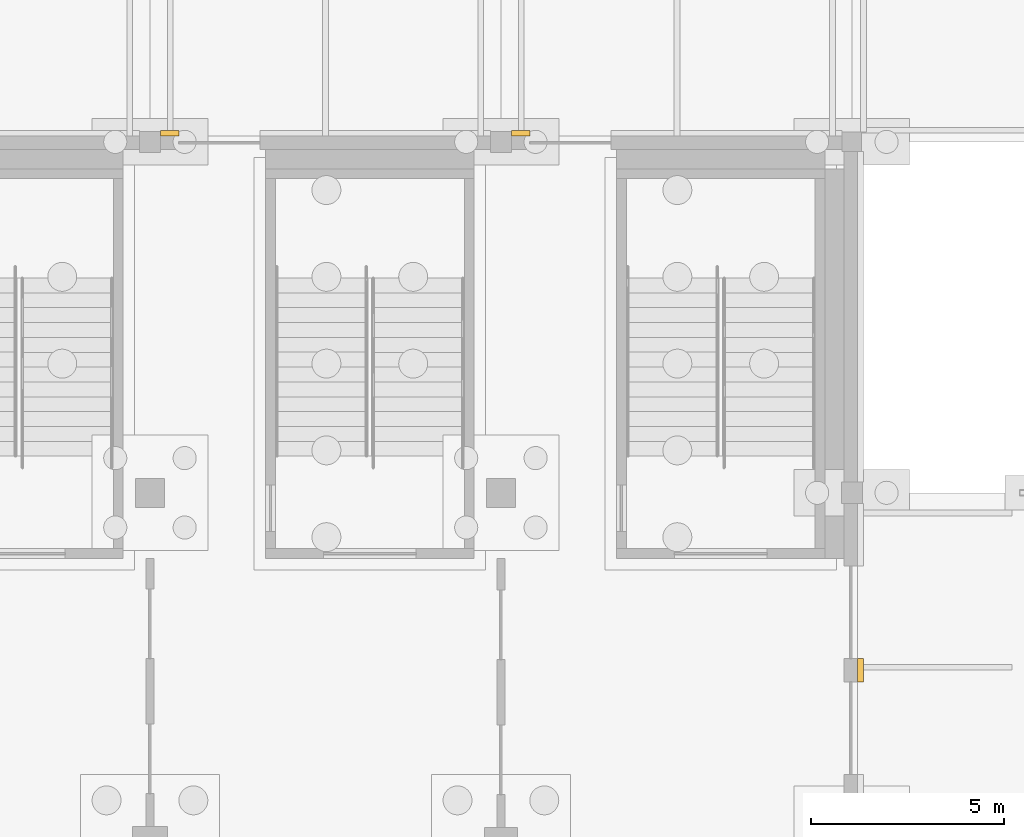
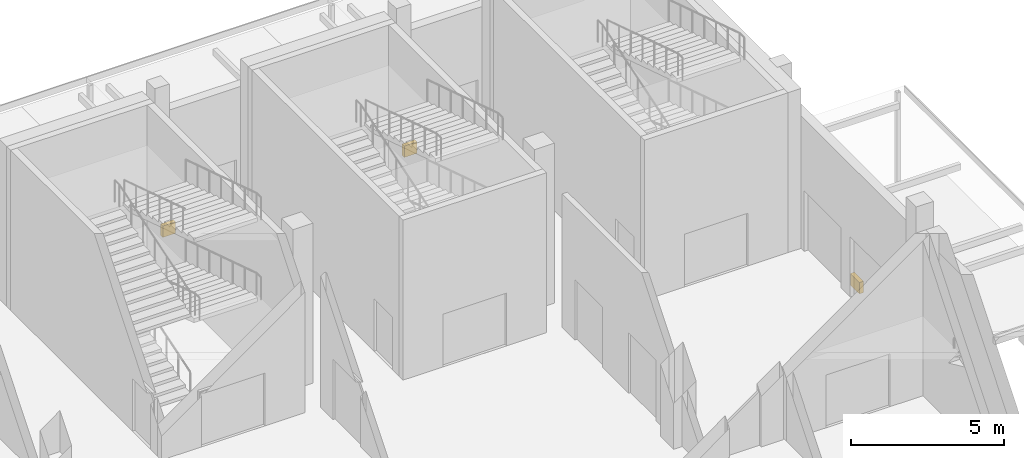
# One storey, part 127 of 129: 3 coverings.
"""IFC4 building model written with IfcOpenShell, lengths in metres."""

from ifc_helpers import new_model, si_unit, direction, frame, origin, origin_2d, place, context, subcontext, project, spatial, rectangle, extrude, material, layer, layer_set, type_object, element, save


model = new_model("IFC4")

# Units and contexts
model_context = context("Model", 3, precision=1e-05, world=origin(), true_north=direction((0.0, 1.0)))
body_context = subcontext(model_context, "Body", "Model", "MODEL_VIEW")
ifc_project = project(units=[si_unit("LENGTHUNIT", "METRE"), si_unit("AREAUNIT", "SQUARE_METRE"), si_unit("VOLUMEUNIT", "CUBIC_METRE"), si_unit("PLANEANGLEUNIT", "RADIAN"), si_unit("MASSUNIT", "GRAM", prefix="KILO")], contexts=[model_context])

# Site, building, storey
site_placement = place(None, origin())
site = spatial("IfcSite", under=ifc_project, at=site_placement, CompositionType="ELEMENT")
building_placement = place(site_placement, origin())
building = spatial("IfcBuilding", under=site, at=building_placement, Name="Shirokan Park Arena", CompositionType="ELEMENT")
storey_placement = place(building_placement, origin())
storey = spatial("IfcBuildingStorey", under=building, at=storey_placement, Name="L00", CompositionType="ELEMENT", Elevation=0.0)

# Coverings
ifc_material = material(Name="Natural stone", Category="masonry")
ifc_layer = layer(ifc_material, 0.14990234375)
ifc_layer_set = layer_set([ifc_layer], Name="Natural stone 150 mm")
covering_type = type_object("IfcCoveringType", Name="Stone plinth 150x450", PredefinedType="CLADDING", material=ifc_layer_set)
covering_placement = place(storey_placement, frame((145.824951171875, 95.5, 0.0), z_axis=(0.0, 0.0, 1.0), x_axis=(0.0, 1.0, 0.0)))
element("IfcCovering", 1, at=covering_placement, inside=storey, type_object=covering_type, Name="Stone plinth east bay 11", PredefinedType="CLADDING", context=body_context, shape_type="SweptSolid", body=[
    extrude(rectangle(XDim=0.60009765625, YDim=0.14990234375, at=origin_2d()), origin(), (0.0, 0.0, 1.0), 0.449951171875),
])
for number, where, z_axis, x_axis, name in (
    (2, (137.012451171875, 109.425048828125, 0.0), (0.0, 0.0, 1.0), (-1.0, 0.0, 0.0), "Stone plinth north bay 1"),
    (3, (127.91259765625, 109.425048828125, 0.0), (0.0, 0.0, 1.0), (-1.0, 0.0, 0.0), "Stone plinth north bay 2"),
):
    element("IfcCovering", number, at=place(storey_placement, frame(where, z_axis=z_axis, x_axis=x_axis)), inside=storey, type_object=covering_type, Name=name, PredefinedType="CLADDING", context=body_context, shape_type="SweptSolid", body=[
        extrude(rectangle(XDim=0.47509765625, YDim=0.14990234375, at=origin_2d()), origin(), (0.0, 0.0, 1.0), 0.449951171875),
    ])

save(model, "model.ifc")
